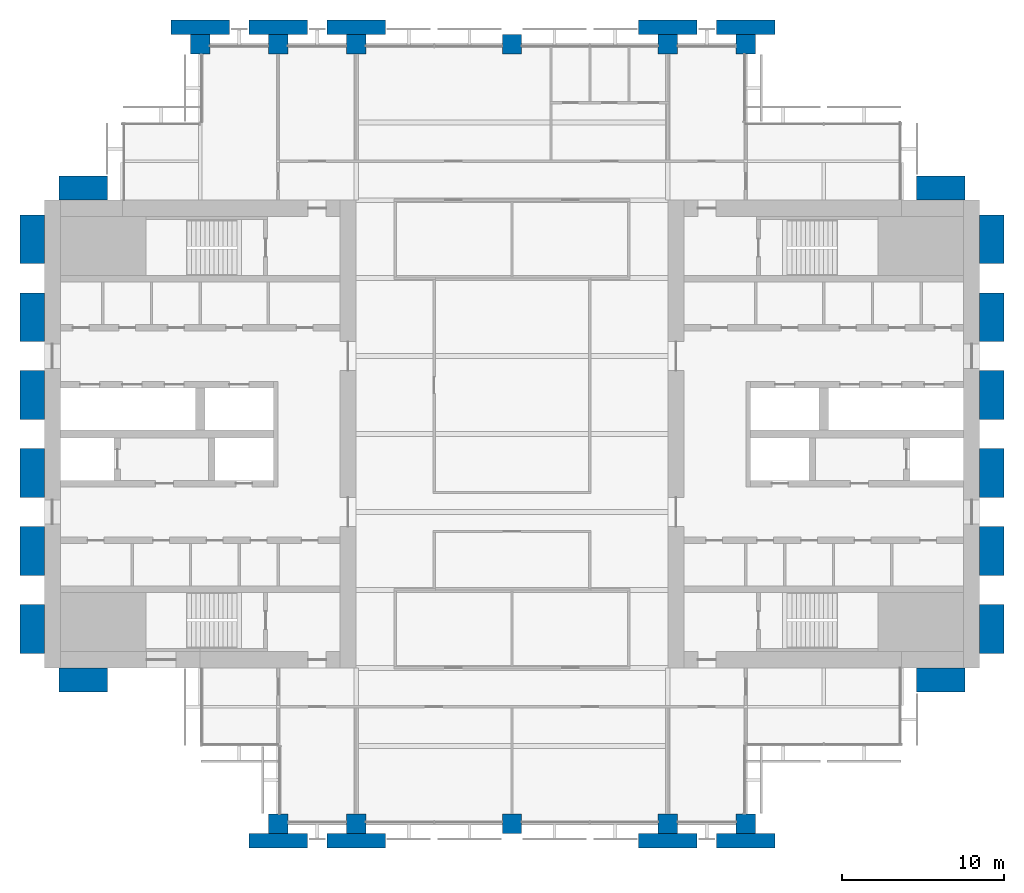
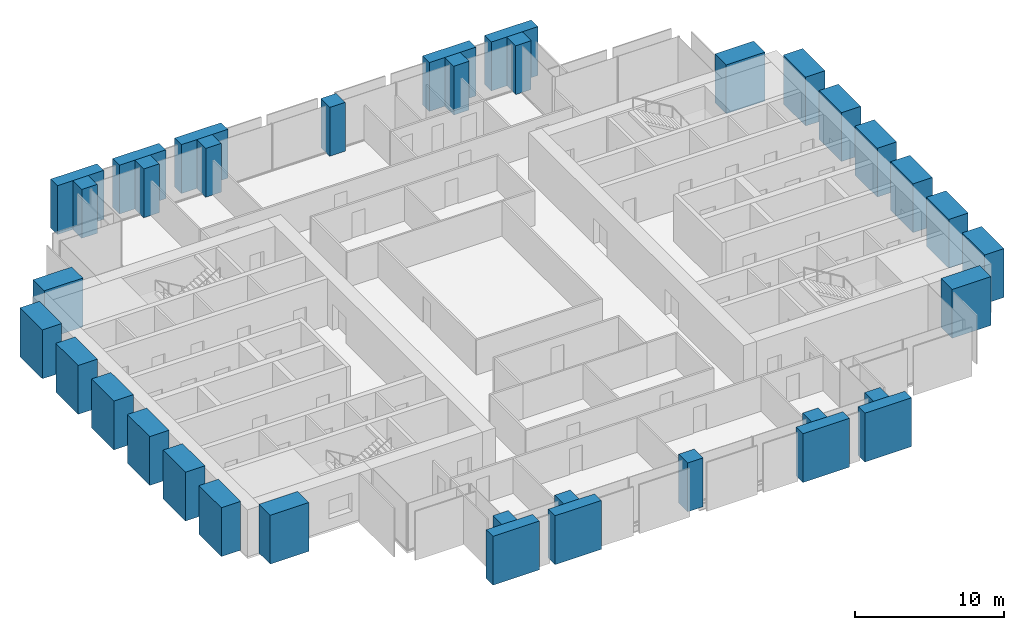
# One storey, part 1 of 14: 36 columns.
"""IFC4 building model written with IfcOpenShell, lengths in metres."""

from ifc_helpers import new_model, si_unit, direction, frame, origin, origin_2d, place, context, subcontext, project, spatial, rectangle, extrude, material, material_profile, profile_set, type_object, element, save


model = new_model("IFC4")

# Units and contexts
model_context = context("Model", 3, precision=1e-05, world=origin(), true_north=direction((0.0, 1.0)))
body_context = subcontext(model_context, "Body", "Model", "MODEL_VIEW")
ifc_project = project(units=[si_unit("LENGTHUNIT", "METRE"), si_unit("AREAUNIT", "SQUARE_METRE"), si_unit("VOLUMEUNIT", "CUBIC_METRE"), si_unit("PLANEANGLEUNIT", "RADIAN"), si_unit("MASSUNIT", "GRAM", prefix="KILO")], contexts=[model_context])

# Site, building, storey
site_placement = place(None, origin())
site = spatial("IfcSite", under=ifc_project, at=site_placement, CompositionType="ELEMENT")
building_placement = place(site_placement, origin())
building = spatial("IfcBuilding", under=site, at=building_placement, Name="Baori Bourse Tower", CompositionType="ELEMENT")
storey_placement = place(building_placement, frame((0.0, 0.0, 112.10009765625)))
storey = spatial("IfcBuildingStorey", under=building, at=storey_placement, Name="L23", CompositionType="ELEMENT", Elevation=112.10009765625)

# Columns
ifc_material_1 = material(Name="Concrete f'c 60 MPa", Category="concrete")
ifc_material_profile_1 = material_profile(ifc_material_1, rectangle(XDim=3.60009765625, YDim=0.89990234375, at=origin_2d()), Name="RC 3600x900")
ifc_profile_set_1 = profile_set([ifc_material_profile_1], Name="Concrete f'c 60 MPa")
column_type_1 = type_object("IfcColumnType", Name="FN3 Brick pilaster 3600x900", PredefinedType="PILASTER", material=ifc_profile_set_1)
for number, where, z_axis, x_axis, name in (
    (1, (14.39990234375, -1.050048828125, 0.0), (0.0, 0.0, 1.0), (1.0, 0.0, 0.0), "Brick pilaster L23 17"),
    (2, (19.199951171875, -1.050048828125, 0.0), (0.0, 0.0, 1.0), (1.0, 0.0, 0.0), "Brick pilaster L23 18"),
    (3, (38.39990234375, -1.050048828125, 0.0), (0.0, 0.0, 1.0), (1.0, 0.0, 0.0), "Brick pilaster L23 19"),
    (4, (43.199951171875, -1.050048828125, 0.0), (0.0, 0.0, 1.0), (1.0, 0.0, 0.0), "Brick pilaster L23 20"),
    (5, (9.60009765625, 49.050048828125, 0.0), (0.0, 0.0, 1.0), (1.0, 0.0, 0.0), "Brick pilaster L23 21"),
    (6, (14.39990234375, 49.050048828125, 0.0), (0.0, 0.0, 1.0), (1.0, 0.0, 0.0), "Brick pilaster L23 22"),
    (7, (19.199951171875, 49.050048828125, 0.0), (0.0, 0.0, 1.0), (1.0, 0.0, 0.0), "Brick pilaster L23 23"),
    (8, (38.39990234375, 49.050048828125, 0.0), (0.0, 0.0, 1.0), (1.0, 0.0, 0.0), "Brick pilaster L23 24"),
    (9, (43.199951171875, 49.050048828125, 0.0), (0.0, 0.0, 1.0), (1.0, 0.0, 0.0), "Brick pilaster L23 25"),
):
    element("IfcColumn", number, at=place(storey_placement, frame(where, z_axis=z_axis, x_axis=x_axis)), inside=storey, type_object=column_type_1, Name=name, PredefinedType="PILASTER", context=body_context, shape_type="SweptSolid", body=[
        extrude(rectangle(XDim=3.60009765625, YDim=0.89990234375, at=origin_2d()), origin(), (0.0, 0.0, 1.0), 4.0),
    ])
ifc_material_2 = material(Name="Concrete f'c 60 MPa", Category="concrete")
ifc_material_profile_2 = material_profile(ifc_material_2, rectangle(XDim=3.0, YDim=1.5, at=origin_2d()), Name="RC 3000x1500")
ifc_profile_set_2 = profile_set([ifc_material_profile_2], Name="Concrete f'c 60 MPa")
column_type_2 = type_object("IfcColumnType", Name="FN4 Brick flank pilaster 3000x1500", PredefinedType="PILASTER", material=ifc_profile_set_2)
for number, where, z_axis, x_axis, name in (
    (10, (55.199951171875, 8.85009765625, 0.0), (0.0, 0.0, 1.0), (1.0, 0.0, 0.0), "Brick pilaster L23 1"),
    (11, (58.35009765625, 12.0, 0.0), (0.0, 0.0, 1.0), (0.0, 1.0, 0.0), "Brick pilaster L23 2"),
    (12, (58.35009765625, 16.800048828125, 0.0), (0.0, 0.0, 1.0), (0.0, 1.0, 0.0), "Brick pilaster L23 3"),
    (13, (58.35009765625, 21.60009765625, 0.0), (0.0, 0.0, 1.0), (0.0, 1.0, 0.0), "Brick pilaster L23 4"),
    (14, (58.35009765625, 26.39990234375, 0.0), (0.0, 0.0, 1.0), (0.0, 1.0, 0.0), "Brick pilaster L23 5"),
    (15, (58.35009765625, 31.199951171875, 0.0), (0.0, 0.0, 1.0), (0.0, 1.0, 0.0), "Brick pilaster L23 6"),
    (16, (58.35009765625, 36.0, 0.0), (0.0, 0.0, 1.0), (0.0, 1.0, 0.0), "Brick pilaster L23 7"),
    (17, (55.199951171875, 39.14990234375, 0.0), (0.0, 0.0, 1.0), (1.0, 0.0, 0.0), "Brick pilaster L23 8"),
    (18, (2.39990234375, 39.14990234375, 0.0), (0.0, 0.0, 1.0), (1.0, 0.0, 0.0), "Brick pilaster L23 9"),
    (19, (-0.75, 12.0, 0.0), (0.0, 0.0, 1.0), (0.0, 1.0, 0.0), "Brick pilaster L23 10"),
    (20, (-0.75, 16.800048828125, 0.0), (0.0, 0.0, 1.0), (0.0, 1.0, 0.0), "Brick pilaster L23 11"),
    (21, (-0.75, 21.60009765625, 0.0), (0.0, 0.0, 1.0), (0.0, 1.0, 0.0), "Brick pilaster L23 12"),
    (22, (-0.75, 26.39990234375, 0.0), (0.0, 0.0, 1.0), (0.0, 1.0, 0.0), "Brick pilaster L23 13"),
    (23, (-0.75, 31.199951171875, 0.0), (0.0, 0.0, 1.0), (0.0, 1.0, 0.0), "Brick pilaster L23 14"),
    (24, (-0.75, 36.0, 0.0), (0.0, 0.0, 1.0), (0.0, 1.0, 0.0), "Brick pilaster L23 15"),
    (25, (2.39990234375, 8.85009765625, 0.0), (0.0, 0.0, 1.0), (1.0, 0.0, 0.0), "Brick pilaster L23 16"),
):
    element("IfcColumn", number, at=place(storey_placement, frame(where, z_axis=z_axis, x_axis=x_axis)), inside=storey, type_object=column_type_2, Name=name, PredefinedType="PILASTER", context=body_context, shape_type="SweptSolid", body=[
        extrude(rectangle(XDim=3.0, YDim=1.5, at=origin_2d()), origin(), (0.0, 0.0, 1.0), 4.0),
    ])
ifc_material_3 = material(Name="Concrete f'c 60 MPa", Category="concrete")
ifc_material_profile_3 = material_profile(ifc_material_3, rectangle(XDim=1.199951171875, YDim=1.199951171875, at=origin_2d()), Name="RC 1200x1200")
ifc_profile_set_3 = profile_set([ifc_material_profile_3], Name="Concrete f'c 60 MPa")
column_type_3 = type_object("IfcColumnType", Name="Perimeter column 60 RC 1200x1200", PredefinedType="COLUMN", material=ifc_profile_set_3)
for number, where, z_axis, x_axis, name in (
    (26, (14.39990234375, 0.0, 0.0), (0.0, 0.0, 1.0), (1.0, 0.0, 0.0), "Perimeter column L23"),
    (27, (19.199951171875, 0.0, 0.0), (0.0, 0.0, 1.0), (1.0, 0.0, 0.0), "Perimeter column L23"),
    (28, (28.800048828125, 0.0, 0.0), (0.0, 0.0, 1.0), (1.0, 0.0, 0.0), "Perimeter column L23"),
    (29, (38.39990234375, 0.0, 0.0), (0.0, 0.0, 1.0), (1.0, 0.0, 0.0), "Perimeter column L23"),
    (30, (43.199951171875, 0.0, 0.0), (0.0, 0.0, 1.0), (1.0, 0.0, 0.0), "Perimeter column L23"),
    (31, (9.60009765625, 48.0, 0.0), (0.0, 0.0, 1.0), (1.0, 0.0, 0.0), "Perimeter column L23"),
    (32, (14.39990234375, 48.0, 0.0), (0.0, 0.0, 1.0), (1.0, 0.0, 0.0), "Perimeter column L23"),
    (33, (19.199951171875, 48.0, 0.0), (0.0, 0.0, 1.0), (1.0, 0.0, 0.0), "Perimeter column L23"),
    (34, (28.800048828125, 48.0, 0.0), (0.0, 0.0, 1.0), (1.0, 0.0, 0.0), "Perimeter column L23"),
    (35, (38.39990234375, 48.0, 0.0), (0.0, 0.0, 1.0), (1.0, 0.0, 0.0), "Perimeter column L23"),
    (36, (43.199951171875, 48.0, 0.0), (0.0, 0.0, 1.0), (1.0, 0.0, 0.0), "Perimeter column L23"),
):
    element("IfcColumn", number, at=place(storey_placement, frame(where, z_axis=z_axis, x_axis=x_axis)), inside=storey, type_object=column_type_3, Name=name, PredefinedType="COLUMN", context=body_context, shape_type="SweptSolid", body=[
        extrude(rectangle(XDim=1.199951171875, YDim=1.199951171875, at=origin_2d()), origin(), (0.0, 0.0, 1.0), 4.0),
    ])

save(model, "model.ifc")
